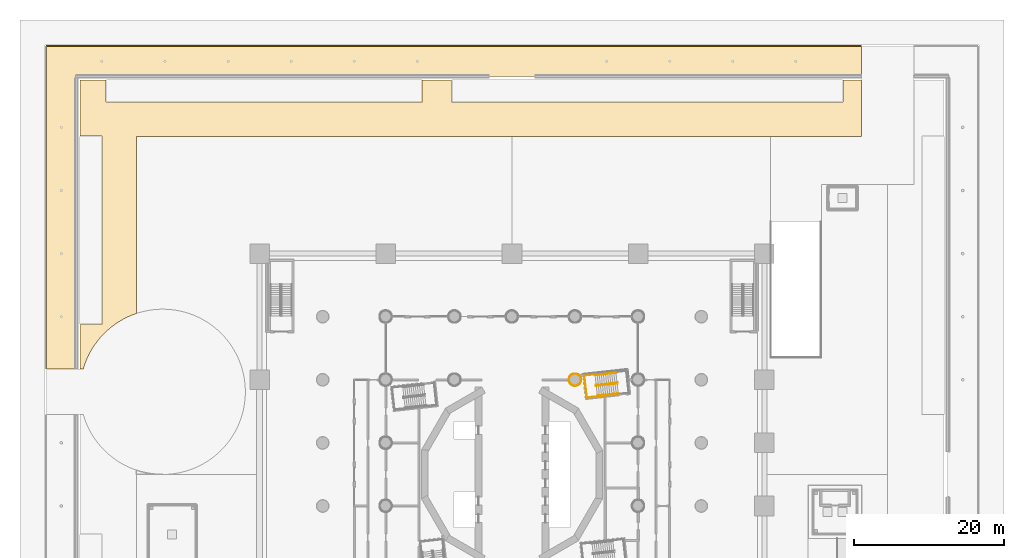
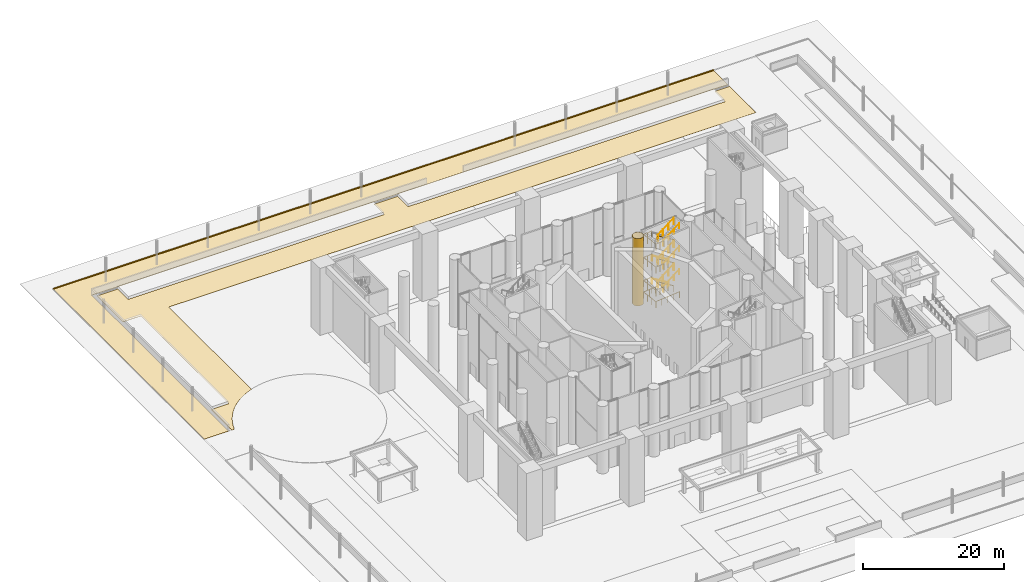
# One storey, part 43 of 52: 15 railings, 4 coverings.
"""IFC4 building model written with IfcOpenShell, lengths in metres."""

from ifc_helpers import new_model, si_unit, direction, frame, origin, origin_2d, place, context, subcontext, project, spatial, polyline, circle, outline, extrude, material, layer, layer_set, type_object, element, save


model = new_model("IFC4")

# Units and contexts
model_context = context("Model", 3, precision=1e-05, world=origin(), true_north=direction((0.0, 1.0)))
body_context = subcontext(model_context, "Body", "Model", "MODEL_VIEW")
ifc_project = project(units=[si_unit("LENGTHUNIT", "METRE"), si_unit("AREAUNIT", "SQUARE_METRE"), si_unit("VOLUMEUNIT", "CUBIC_METRE"), si_unit("PLANEANGLEUNIT", "RADIAN"), si_unit("MASSUNIT", "GRAM", prefix="KILO")], contexts=[model_context])

# Site, building, storey
site_placement = place(None, origin())
site = spatial("IfcSite", under=ifc_project, at=site_placement, CompositionType="ELEMENT")
building_placement = place(site_placement, origin())
building = spatial("IfcBuilding", under=site, at=building_placement, Name="Cantera Rosa Tower", CompositionType="ELEMENT")
storey_placement = place(building_placement, origin())
storey = spatial("IfcBuildingStorey", under=building, at=storey_placement, Name="L00", CompositionType="ELEMENT", Elevation=0.0)

# Coverings
ifc_material_1 = material(Name="Plaster")
ifc_layer_1 = layer(ifc_material_1, 0.030029296875)
ifc_layer_set_1 = layer_set([ifc_layer_1], Name="Column casing 30")
covering_type_1 = type_object("IfcCoveringType", Name="Column casing 30", PredefinedType="CLADDING", material=ifc_layer_set_1)
covering_1_placement = place(storey_placement, origin())
element("IfcCovering", 1, at=covering_1_placement, inside=storey, type_object=covering_type_1, Name="Column casing L00-015", PredefinedType="CLADDING", context=body_context, shape_type="SweptSolid", body=[
    extrude(outline(polyline([(9.22607421875, 12.5185546875), (9.22998046875, 12.60009765625), (9.22607421875, 12.681396484375), (9.214111328125, 12.761962890625), (9.1943359375, 12.8408203125), (9.166748046875, 12.91748046875), (9.132080078125, 12.9912109375), (9.090087890625, 13.06103515625), (9.04150390625, 13.12646484375), (8.98681640625, 13.18701171875), (8.926513671875, 13.24169921875), (8.861083984375, 13.2900390625), (8.791259765625, 13.33203125), (8.717529296875, 13.36669921875), (8.640869140625, 13.394287109375), (8.56201171875, 13.4140625), (8.4814453125, 13.426025390625), (8.39990234375, 13.429931640625), (8.318603515625, 13.426025390625), (8.238037109375, 13.4140625), (8.1591796875, 13.394287109375), (8.08251953125, 13.36669921875), (8.0087890625, 13.33203125), (7.93896484375, 13.2900390625), (7.87353515625, 13.24169921875), (7.81298828125, 13.18701171875), (7.75830078125, 13.12646484375), (7.7099609375, 13.06103515625), (7.66796875, 12.9912109375), (7.63330078125, 12.91748046875), (7.605712890625, 12.8408203125), (7.5859375, 12.761962890625), (7.573974609375, 12.681396484375), (7.570068359375, 12.60009765625), (7.573974609375, 12.5185546875), (7.5859375, 12.43798828125), (7.605712890625, 12.359130859375), (7.63330078125, 12.282470703125), (7.66796875, 12.208740234375), (7.7099609375, 12.138916015625), (7.75830078125, 12.073486328125), (7.81298828125, 12.01318359375), (7.87353515625, 11.95849609375), (7.93896484375, 11.909912109375), (8.0087890625, 11.867919921875), (8.08251953125, 11.833251953125), (8.1591796875, 11.8056640625), (8.238037109375, 11.785888671875), (8.318603515625, 11.77392578125), (8.39990234375, 11.77001953125), (8.4814453125, 11.77392578125), (8.56201171875, 11.785888671875), (8.640869140625, 11.8056640625), (8.717529296875, 11.833251953125), (8.791259765625, 11.867919921875), (8.861083984375, 11.909912109375), (8.926513671875, 11.95849609375), (8.98681640625, 12.01318359375), (9.04150390625, 12.073486328125), (9.090087890625, 12.138916015625), (9.132080078125, 12.208740234375), (9.166748046875, 12.282470703125), (9.1943359375, 12.359130859375), (9.214111328125, 12.43798828125), (9.22607421875, 12.5185546875)]), holes=[polyline([(9.196044921875, 12.678466796875), (9.1845703125, 12.756103515625), (9.16552734375, 12.832275390625), (9.13916015625, 12.906005859375), (9.10546875, 12.97705078125), (9.065185546875, 13.04443359375), (9.018310546875, 13.107421875), (8.9658203125, 13.165771484375), (8.907470703125, 13.218505859375), (8.844482421875, 13.26513671875), (8.777099609375, 13.305419921875), (8.7060546875, 13.339111328125), (8.632080078125, 13.365478515625), (8.55615234375, 13.384521484375), (8.478515625, 13.39599609375), (8.39990234375, 13.39990234375), (8.321533203125, 13.39599609375), (8.243896484375, 13.384521484375), (8.167724609375, 13.365478515625), (8.093994140625, 13.339111328125), (8.02294921875, 13.305419921875), (7.95556640625, 13.26513671875), (7.892578125, 13.218505859375), (7.834228515625, 13.165771484375), (7.781494140625, 13.107421875), (7.73486328125, 13.04443359375), (7.694580078125, 12.97705078125), (7.660888671875, 12.906005859375), (7.634521484375, 12.832275390625), (7.615478515625, 12.756103515625), (7.60400390625, 12.678466796875), (7.60009765625, 12.60009765625), (7.60400390625, 12.521484375), (7.615478515625, 12.44384765625), (7.634521484375, 12.367919921875), (7.660888671875, 12.2939453125), (7.694580078125, 12.222900390625), (7.73486328125, 12.155517578125), (7.781494140625, 12.092529296875), (7.834228515625, 12.0341796875), (7.892578125, 11.981689453125), (7.95556640625, 11.934814453125), (8.02294921875, 11.89453125), (8.093994140625, 11.86083984375), (8.167724609375, 11.83447265625), (8.243896484375, 11.8154296875), (8.321533203125, 11.803955078125), (8.39990234375, 11.800048828125), (8.478515625, 11.803955078125), (8.55615234375, 11.8154296875), (8.632080078125, 11.83447265625), (8.7060546875, 11.86083984375), (8.777099609375, 11.89453125), (8.844482421875, 11.934814453125), (8.907470703125, 11.981689453125), (8.9658203125, 12.0341796875), (9.018310546875, 12.092529296875), (9.065185546875, 12.155517578125), (9.10546875, 12.222900390625), (9.13916015625, 12.2939453125), (9.16552734375, 12.367919921875), (9.1845703125, 12.44384765625), (9.196044921875, 12.521484375), (9.199951171875, 12.60009765625), (9.196044921875, 12.678466796875)])]), origin(), (0.0, 0.0, 1.0), 11.699951171875),
])
ifc_material_2 = material(Name="Stone paving", Category="masonry")
ifc_layer_2 = layer(ifc_material_2, 0.06005859375)
ifc_layer_set_2 = layer_set([ifc_layer_2], Name="Footway paving 60")
covering_type_2 = type_object("IfcCoveringType", Name="Footway paving 60", PredefinedType="USERDEFINED", material=ifc_layer_set_2)
covering_2_placement = place(storey_placement, origin())
element("IfcCovering", 2, at=covering_2_placement, inside=storey, type_object=covering_type_2, Name="Street footway paving", ObjectType="PAVING", PredefinedType="USERDEFINED", context=body_context, shape_type="SweptSolid", body=[
    extrude(outline(polyline([(-62.0, 57.0), (-62.0, 14.050048828125), (-58.0, 14.050048828125), (-58.0, 53.0), (46.5, 53.0), (46.5, 57.0), (-62.0, 57.0)])), origin(), (0.0, 0.0, 1.0), 0.06005859375),
])
ifc_material_3 = material(Name="Granite kerb", Category="masonry")
ifc_layer_3 = layer(ifc_material_3, 0.14990234375)
ifc_layer_set_3 = layer_set([ifc_layer_3], Name="Kerb 150x150")
covering_type_3 = type_object("IfcCoveringType", Name="Kerb 150x150", PredefinedType="USERDEFINED", material=ifc_layer_set_3)
covering_3_placement = place(storey_placement, origin())
element("IfcCovering", 3, at=covering_3_placement, inside=storey, type_object=covering_type_3, Name="Kerb N1", ObjectType="KERB", PredefinedType="USERDEFINED", context=body_context, shape_type="SweptSolid", body=[
    extrude(outline(polyline([(46.5, 57.0), (46.5, 57.14990234375), (-62.0, 57.14990234375), (-62.0, 57.0), (46.5, 57.0)])), origin(), (0.0, 0.0, 1.0), 0.14990234375),
])
ifc_material_4 = material(Name="Stone paving", Category="masonry")
ifc_layer_4 = layer(ifc_material_4, 0.0400390625)
ifc_layer_set_4 = layer_set([ifc_layer_4], Name="Plaza paving 40")
covering_type_4 = type_object("IfcCoveringType", Name="Plaza paving 40", PredefinedType="USERDEFINED", material=ifc_layer_set_4)
covering_4_placement = place(storey_placement, origin())
element("IfcCovering", 4, at=covering_4_placement, inside=storey, type_object=covering_type_4, Name="Paving of the plot yard", ObjectType="PAVING", PredefinedType="USERDEFINED", context=body_context, shape_type="SweptSolid", body=[
    extrude(outline(polyline([(41.199951171875, 45.0), (46.5, 45.0), (46.5, 52.5), (44.050048828125, 52.5), (44.050048828125, 49.60009765625), (44.0498046875, 49.59521484375), (44.049072265625, 49.590087890625), (44.0478515625, 49.58544921875), (44.046142578125, 49.580810546875), (44.044189453125, 49.576416015625), (44.04150390625, 49.572265625), (44.038818359375, 49.568359375), (44.035400390625, 49.564697265625), (44.03173828125, 49.561279296875), (44.02783203125, 49.558349609375), (44.023681640625, 49.555908203125), (44.01904296875, 49.5537109375), (44.014404296875, 49.55224609375), (44.009765625, 49.551025390625), (44.0048828125, 49.55029296875), (44.0, 49.550048828125), (-8.0, 49.550048828125), (-8.0048828125, 49.55029296875), (-8.009765625, 49.551025390625), (-8.014404296875, 49.55224609375), (-8.01904296875, 49.5537109375), (-8.023681640625, 49.555908203125), (-8.02783203125, 49.558349609375), (-8.03173828125, 49.561279296875), (-8.035400390625, 49.564697265625), (-8.038818359375, 49.568359375), (-8.04150390625, 49.572265625), (-8.044189453125, 49.576416015625), (-8.046142578125, 49.580810546875), (-8.0478515625, 49.58544921875), (-8.049072265625, 49.590087890625), (-8.0498046875, 49.59521484375), (-8.050048828125, 49.60009765625), (-8.050048828125, 52.5), (-11.949951171875, 52.5), (-11.949951171875, 49.60009765625), (-11.9501953125, 49.59521484375), (-11.950927734375, 49.590087890625), (-11.9521484375, 49.58544921875), (-11.953857421875, 49.580810546875), (-11.955810546875, 49.576416015625), (-11.95849609375, 49.572265625), (-11.961181640625, 49.568359375), (-11.964599609375, 49.564697265625), (-11.96826171875, 49.561279296875), (-11.97216796875, 49.558349609375), (-11.976318359375, 49.555908203125), (-11.98095703125, 49.5537109375), (-11.985595703125, 49.55224609375), (-11.990234375, 49.551025390625), (-11.9951171875, 49.55029296875), (-12.0, 49.550048828125), (-54.0, 49.550048828125), (-54.0048828125, 49.55029296875), (-54.009765625, 49.551025390625), (-54.014404296875, 49.55224609375), (-54.01904296875, 49.5537109375), (-54.023681640625, 49.555908203125), (-54.02783203125, 49.558349609375), (-54.03173828125, 49.561279296875), (-54.035400390625, 49.564697265625), (-54.038818359375, 49.568359375), (-54.04150390625, 49.572265625), (-54.044189453125, 49.576416015625), (-54.046142578125, 49.580810546875), (-54.0478515625, 49.58544921875), (-54.049072265625, 49.590087890625), (-54.0498046875, 49.59521484375), (-54.050048828125, 49.60009765625), (-54.050048828125, 52.5), (-57.5, 52.5), (-57.5, 45.050048828125), (-54.60009765625, 45.050048828125), (-54.59521484375, 45.0498046875), (-54.590087890625, 45.049072265625), (-54.58544921875, 45.0478515625), (-54.580810546875, 45.046142578125), (-54.576416015625, 45.044189453125), (-54.572265625, 45.04150390625), (-54.568359375, 45.038818359375), (-54.564697265625, 45.035400390625), (-54.561279296875, 45.03173828125), (-54.558349609375, 45.02783203125), (-54.555908203125, 45.023681640625), (-54.5537109375, 45.01904296875), (-54.55224609375, 45.014404296875), (-54.551025390625, 45.009765625), (-54.55029296875, 45.0048828125), (-54.550048828125, 45.0), (-54.550048828125, 20.0), (-54.55029296875, 19.9951171875), (-54.551025390625, 19.990234375), (-54.55224609375, 19.985595703125), (-54.5537109375, 19.98095703125), (-54.555908203125, 19.976318359375), (-54.558349609375, 19.97216796875), (-54.561279296875, 19.96826171875), (-54.564697265625, 19.964599609375), (-54.568359375, 19.961181640625), (-54.572265625, 19.95849609375), (-54.576416015625, 19.955810546875), (-54.580810546875, 19.953857421875), (-54.58544921875, 19.9521484375), (-54.590087890625, 19.950927734375), (-54.59521484375, 19.9501953125), (-54.60009765625, 19.949951171875), (-57.5, 19.949951171875), (-57.5, 14.050048828125), (-57.067138671875, 14.050048828125), (-57.0263671875, 14.193115234375), (-56.916259765625, 14.535888671875), (-56.794921875, 14.874755859375), (-56.66259765625, 15.20947265625), (-56.51953125, 15.539794921875), (-56.365478515625, 15.865234375), (-56.201171875, 16.185302734375), (-56.0263671875, 16.5), (-55.84130859375, 16.80859375), (-55.646240234375, 17.111328125), (-55.44140625, 17.4072265625), (-55.226806640625, 17.6962890625), (-55.003173828125, 17.978271484375), (-54.770263671875, 18.252685546875), (-54.528564453125, 18.51953125), (-54.2783203125, 18.7783203125), (-54.01953125, 19.028564453125), (-53.752685546875, 19.270263671875), (-53.478271484375, 19.503173828125), (-53.1962890625, 19.726806640625), (-52.9072265625, 19.94140625), (-52.611328125, 20.146240234375), (-52.30859375, 20.34130859375), (-52.0, 20.5263671875), (-51.685302734375, 20.701171875), (-51.365234375, 20.865478515625), (-51.039794921875, 21.01953125), (-50.70947265625, 21.16259765625), (-50.374755859375, 21.294921875), (-50.035888671875, 21.416259765625), (-50.0, 21.427734375), (-50.0, 45.0), (34.39990234375, 45.0), (41.199951171875, 45.0)])), origin(), (0.0, 0.0, 1.0), 0.0400390625),
])

# Railings
ifc_material_5 = material(Name="Steel S355J2 (EN 10025-2)", Category="steel")
railing_type_1 = type_object("IfcRailingType", Name="STAIR GUARD 1100", PredefinedType="GUARDRAIL", material=ifc_material_5)
railing_1_placement = place(storey_placement, frame((13.986083984375, 12.203125, 0.181884765625)))
element("IfcRailing", 5, at=railing_1_placement, inside=storey, type_object=railing_type_1, Name="L00 ST-11 stair guard 1", PredefinedType="GUARDRAIL", context=body_context, shape_type="SweptSolid", body=[
    extrude(circle(Radius=0.02392578125, at=origin_2d()), frame((0.0, 0.0, 1.076171875), z_axis=(-0.833588056777, -0.09250714026, 0.544585512661), x_axis=(0.110297547524, -0.993898612038, 0.0)), (0.0, 0.0, 1.0), 3.338623046875),
    extrude(circle(Radius=0.02392578125, at=origin_2d()), frame((-2.782958984375, -0.308837890625, 2.89404296875), z_axis=(-0.932897555956, 0.360141847183, 0.0), x_axis=(-0.360141847183, -0.932897555956, 0.0)), (0.0, 0.0, 1.0), 0.05615234375),
    extrude(circle(Radius=0.02392578125, at=origin_2d()), frame((-2.83544921875, -0.28857421875, 2.89404296875), z_axis=(0.110789159685, -0.993843932464, 0.0), x_axis=(0.993843932464, 0.110789159685, 0.0)), (0.0, 0.0, 1.0), 0.14990234375),
    extrude(circle(Radius=0.02099609375, at=origin_2d()), origin(), (0.0, 0.0, 1.0), 1.052001953125),
    extrude(circle(Radius=0.02099609375, at=origin_2d()), frame((-0.927734375, -0.10302734375, 0.60595703125)), (0.0, 0.0, 1.0), 1.052001953125),
    extrude(circle(Radius=0.02099609375, at=origin_2d()), frame((-1.855224609375, -0.205810546875, 1.212158203125)), (0.0, 0.0, 1.0), 1.052001953125),
    extrude(circle(Radius=0.02099609375, at=origin_2d()), frame((-2.782958984375, -0.308837890625, 1.818115234375)), (0.0, 0.0, 1.0), 1.052001953125),
    extrude(circle(Radius=0.02099609375, at=origin_2d()), frame((-2.83544921875, -0.28857421875, 1.818115234375)), (0.0, 0.0, 1.0), 1.052001953125),
    extrude(circle(Radius=0.02099609375, at=origin_2d()), frame((-2.81884765625, -0.4375, 1.818115234375)), (0.0, 0.0, 1.0), 1.052001953125),
])
railing_2_placement = place(storey_placement, frame((11.2138671875, 11.796875, 2.181884765625)))
element("IfcRailing", 6, at=railing_2_placement, inside=storey, type_object=railing_type_1, Name="L00 ST-11 stair guard 2", PredefinedType="GUARDRAIL", context=body_context, shape_type="SweptSolid", body=[
    extrude(circle(Radius=0.02392578125, at=origin_2d()), frame((0.0, 0.0, 1.076171875), z_axis=(0.833588056777, 0.09250714026, 0.544585512661), x_axis=(-0.110297547524, 0.993898612038, 0.0)), (0.0, 0.0, 1.0), 3.338623046875),
    extrude(circle(Radius=0.02392578125, at=origin_2d()), frame((2.782958984375, 0.308837890625, 2.89404296875), z_axis=(0.932897555956, -0.360141847183, 0.0), x_axis=(0.360141847183, 0.932897555956, 0.0)), (0.0, 0.0, 1.0), 0.05615234375),
    extrude(circle(Radius=0.02392578125, at=origin_2d()), frame((2.83544921875, 0.28857421875, 2.89404296875), z_axis=(-0.109179471459, 0.994022053584, 0.0), x_axis=(-0.994022053584, -0.109179471459, 0.0)), (0.0, 0.0, 1.0), 0.14990234375),
    extrude(circle(Radius=0.02099609375, at=origin_2d()), origin(), (0.0, 0.0, 1.0), 1.052001953125),
    extrude(circle(Radius=0.02099609375, at=origin_2d()), frame((0.927734375, 0.10302734375, 0.60595703125)), (0.0, 0.0, 1.0), 1.052001953125),
    extrude(circle(Radius=0.02099609375, at=origin_2d()), frame((1.855224609375, 0.205810546875, 1.212158203125)), (0.0, 0.0, 1.0), 1.052001953125),
    extrude(circle(Radius=0.02099609375, at=origin_2d()), frame((2.782958984375, 0.308837890625, 1.818115234375)), (0.0, 0.0, 1.0), 1.052001953125),
    extrude(circle(Radius=0.02099609375, at=origin_2d()), frame((2.83544921875, 0.28857421875, 1.818115234375)), (0.0, 0.0, 1.0), 1.052001953125),
    extrude(circle(Radius=0.02099609375, at=origin_2d()), frame((2.819091796875, 0.4375, 1.818115234375)), (0.0, 0.0, 1.0), 1.052001953125),
])
railing_3_placement = place(storey_placement, frame((13.986083984375, 12.203125, 4.181884765625)))
element("IfcRailing", 7, at=railing_3_placement, inside=storey, type_object=railing_type_1, Name="L00 ST-11 stair guard 3", PredefinedType="GUARDRAIL", context=body_context, shape_type="SweptSolid", body=[
    extrude(circle(Radius=0.02392578125, at=origin_2d()), frame((0.0, 0.0, 1.076171875), z_axis=(-0.833588056777, -0.09250714026, 0.544585512661), x_axis=(0.110297547524, -0.993898612038, 0.0)), (0.0, 0.0, 1.0), 3.338623046875),
    extrude(circle(Radius=0.02392578125, at=origin_2d()), frame((-2.782958984375, -0.308837890625, 2.89404296875), z_axis=(-0.932897555956, 0.360141847183, 0.0), x_axis=(-0.360141847183, -0.932897555956, 0.0)), (0.0, 0.0, 1.0), 0.05615234375),
    extrude(circle(Radius=0.02392578125, at=origin_2d()), frame((-2.83544921875, -0.28857421875, 2.89404296875), z_axis=(0.110789159685, -0.993843932464, 0.0), x_axis=(0.993843932464, 0.110789159685, 0.0)), (0.0, 0.0, 1.0), 0.14990234375),
    extrude(circle(Radius=0.02099609375, at=origin_2d()), origin(), (0.0, 0.0, 1.0), 1.052001953125),
    extrude(circle(Radius=0.02099609375, at=origin_2d()), frame((-0.927734375, -0.10302734375, 0.60595703125)), (0.0, 0.0, 1.0), 1.052001953125),
    extrude(circle(Radius=0.02099609375, at=origin_2d()), frame((-1.855224609375, -0.205810546875, 1.212158203125)), (0.0, 0.0, 1.0), 1.052001953125),
    extrude(circle(Radius=0.02099609375, at=origin_2d()), frame((-2.782958984375, -0.308837890625, 1.818115234375)), (0.0, 0.0, 1.0), 1.052001953125),
    extrude(circle(Radius=0.02099609375, at=origin_2d()), frame((-2.83544921875, -0.28857421875, 1.818115234375)), (0.0, 0.0, 1.0), 1.052001953125),
    extrude(circle(Radius=0.02099609375, at=origin_2d()), frame((-2.81884765625, -0.4375, 1.818115234375)), (0.0, 0.0, 1.0), 1.052001953125),
])
railing_4_placement = place(storey_placement, frame((11.2138671875, 11.796875, 6.181884765625)))
element("IfcRailing", 8, at=railing_4_placement, inside=storey, type_object=railing_type_1, Name="L00 ST-11 stair guard 4", PredefinedType="GUARDRAIL", context=body_context, shape_type="SweptSolid", body=[
    extrude(circle(Radius=0.02392578125, at=origin_2d()), frame((0.0, 0.0, 1.076171875), z_axis=(0.833588056777, 0.09250714026, 0.544585512661), x_axis=(-0.110297547524, 0.993898612038, 0.0)), (0.0, 0.0, 1.0), 3.338623046875),
    extrude(circle(Radius=0.02392578125, at=origin_2d()), frame((2.782958984375, 0.308837890625, 2.89404296875), z_axis=(0.932897555956, -0.360141847183, 0.0), x_axis=(0.360141847183, 0.932897555956, 0.0)), (0.0, 0.0, 1.0), 0.05615234375),
    extrude(circle(Radius=0.02392578125, at=origin_2d()), frame((2.83544921875, 0.28857421875, 2.89404296875), z_axis=(-0.109179471459, 0.994022053584, 0.0), x_axis=(-0.994022053584, -0.109179471459, 0.0)), (0.0, 0.0, 1.0), 0.14990234375),
    extrude(circle(Radius=0.02099609375, at=origin_2d()), origin(), (0.0, 0.0, 1.0), 1.052001953125),
    extrude(circle(Radius=0.02099609375, at=origin_2d()), frame((0.927734375, 0.10302734375, 0.60595703125)), (0.0, 0.0, 1.0), 1.052001953125),
    extrude(circle(Radius=0.02099609375, at=origin_2d()), frame((1.855224609375, 0.205810546875, 1.212158203125)), (0.0, 0.0, 1.0), 1.052001953125),
    extrude(circle(Radius=0.02099609375, at=origin_2d()), frame((2.782958984375, 0.308837890625, 1.818115234375)), (0.0, 0.0, 1.0), 1.052001953125),
    extrude(circle(Radius=0.02099609375, at=origin_2d()), frame((2.83544921875, 0.28857421875, 1.818115234375)), (0.0, 0.0, 1.0), 1.052001953125),
    extrude(circle(Radius=0.02099609375, at=origin_2d()), frame((2.819091796875, 0.4375, 1.818115234375)), (0.0, 0.0, 1.0), 1.052001953125),
])
railing_5_placement = place(storey_placement, frame((13.986083984375, 12.203125, 8.181884765625)))
element("IfcRailing", 9, at=railing_5_placement, inside=storey, type_object=railing_type_1, Name="L00 ST-11 stair guard 5", PredefinedType="GUARDRAIL", context=body_context, shape_type="SweptSolid", body=[
    extrude(circle(Radius=0.02392578125, at=origin_2d()), frame((0.0, 0.0, 1.076171875), z_axis=(-0.833588056777, -0.09250714026, 0.544585512661), x_axis=(0.110297547524, -0.993898612038, 0.0)), (0.0, 0.0, 1.0), 3.338623046875),
    extrude(circle(Radius=0.02392578125, at=origin_2d()), frame((-2.782958984375, -0.308837890625, 2.89404296875), z_axis=(-0.932897555956, 0.360141847183, 0.0), x_axis=(-0.360141847183, -0.932897555956, 0.0)), (0.0, 0.0, 1.0), 0.05615234375),
    extrude(circle(Radius=0.02392578125, at=origin_2d()), frame((-2.83544921875, -0.28857421875, 2.89404296875), z_axis=(0.110789159685, -0.993843932464, 0.0), x_axis=(0.993843932464, 0.110789159685, 0.0)), (0.0, 0.0, 1.0), 0.14990234375),
    extrude(circle(Radius=0.02099609375, at=origin_2d()), origin(), (0.0, 0.0, 1.0), 1.052001953125),
    extrude(circle(Radius=0.02099609375, at=origin_2d()), frame((-0.927734375, -0.10302734375, 0.60595703125)), (0.0, 0.0, 1.0), 1.052001953125),
    extrude(circle(Radius=0.02099609375, at=origin_2d()), frame((-1.855224609375, -0.205810546875, 1.212158203125)), (0.0, 0.0, 1.0), 1.052001953125),
    extrude(circle(Radius=0.02099609375, at=origin_2d()), frame((-2.782958984375, -0.308837890625, 1.818115234375)), (0.0, 0.0, 1.0), 1.052001953125),
    extrude(circle(Radius=0.02099609375, at=origin_2d()), frame((-2.83544921875, -0.28857421875, 1.818115234375)), (0.0, 0.0, 1.0), 1.052001953125),
    extrude(circle(Radius=0.02099609375, at=origin_2d()), frame((-2.81884765625, -0.4375, 1.818115234375)), (0.0, 0.0, 1.0), 1.052001953125),
])
railing_6_placement = place(storey_placement, frame((11.2138671875, 11.796875, 10.181884765625)))
element("IfcRailing", 10, at=railing_6_placement, inside=storey, type_object=railing_type_1, Name="L00 ST-11 stair guard 6", PredefinedType="GUARDRAIL", context=body_context, shape_type="SweptSolid", body=[
    extrude(circle(Radius=0.02392578125, at=origin_2d()), frame((0.0, 0.0, 1.076171875), z_axis=(0.833588056777, 0.09250714026, 0.544585512661), x_axis=(-0.110297547524, 0.993898612038, 0.0)), (0.0, 0.0, 1.0), 3.338623046875),
    extrude(circle(Radius=0.02099609375, at=origin_2d()), origin(), (0.0, 0.0, 1.0), 1.052001953125),
    extrude(circle(Radius=0.02099609375, at=origin_2d()), frame((0.927734375, 0.10302734375, 0.60595703125)), (0.0, 0.0, 1.0), 1.052001953125),
    extrude(circle(Radius=0.02099609375, at=origin_2d()), frame((1.855224609375, 0.205810546875, 1.212158203125)), (0.0, 0.0, 1.0), 1.052001953125),
    extrude(circle(Radius=0.02099609375, at=origin_2d()), frame((2.782958984375, 0.308837890625, 1.818115234375)), (0.0, 0.0, 1.0), 1.052001953125),
])
railing_7_placement = place(storey_placement, frame((13.815673828125, 13.629150390625, 0.0)))
element("IfcRailing", 11, at=railing_7_placement, inside=storey, type_object=railing_type_1, Name="L00 ST-11 stair guard 8", PredefinedType="GUARDRAIL", context=body_context, shape_type="SweptSolid", body=[
    extrude(circle(Radius=0.02392578125, at=origin_2d()), frame((0.0, 0.0, 1.076171875), z_axis=(-0.9938957856, -0.110323013767, 0.0), x_axis=(0.110323013767, -0.9938957856, 0.0)), (0.0, 0.0, 1.0), 4.197998046875),
    extrude(circle(Radius=0.02392578125, at=origin_2d()), frame((-4.17236328125, -0.463134765625, 1.076171875), z_axis=(0.110314237986, -0.993896759678, 0.0), x_axis=(0.993896759678, 0.110314237986, 0.0)), (0.0, 0.0, 1.0), 2.969970703125),
    extrude(circle(Radius=0.02392578125, at=origin_2d()), frame((-3.8447265625, -3.4150390625, 1.076171875), z_axis=(0.9938957856, 0.110323013767, 0.0), x_axis=(-0.110323013767, 0.9938957856, 0.0)), (0.0, 0.0, 1.0), 4.197998046875),
    extrude(circle(Radius=0.02099609375, at=origin_2d()), origin(), (0.0, 0.0, 1.0), 1.052001953125),
    extrude(circle(Radius=0.02099609375, at=origin_2d()), frame((-1.04296875, -0.11572265625, 0.0)), (0.0, 0.0, 1.0), 1.052001953125),
    extrude(circle(Radius=0.02099609375, at=origin_2d()), frame((-2.086181640625, -0.2314453125, 0.0)), (0.0, 0.0, 1.0), 1.052001953125),
    extrude(circle(Radius=0.02099609375, at=origin_2d()), frame((-3.12939453125, -0.347412109375, 0.0)), (0.0, 0.0, 1.0), 1.052001953125),
    extrude(circle(Radius=0.02099609375, at=origin_2d()), frame((-4.17236328125, -0.463134765625, 0.0)), (0.0, 0.0, 1.0), 1.052001953125),
    extrude(circle(Radius=0.02099609375, at=origin_2d()), frame((-4.063232421875, -1.447021484375, 0.0)), (0.0, 0.0, 1.0), 1.052001953125),
    extrude(circle(Radius=0.02099609375, at=origin_2d()), frame((-3.953857421875, -2.43115234375, 0.0)), (0.0, 0.0, 1.0), 1.052001953125),
    extrude(circle(Radius=0.02099609375, at=origin_2d()), frame((-3.8447265625, -3.4150390625, 0.0)), (0.0, 0.0, 1.0), 1.052001953125),
    extrude(circle(Radius=0.02099609375, at=origin_2d()), frame((-2.8017578125, -3.29931640625, 0.0)), (0.0, 0.0, 1.0), 1.052001953125),
    extrude(circle(Radius=0.02099609375, at=origin_2d()), frame((-1.758544921875, -3.18359375, 0.0)), (0.0, 0.0, 1.0), 1.052001953125),
    extrude(circle(Radius=0.02099609375, at=origin_2d()), frame((-0.71533203125, -3.067626953125, 0.0)), (0.0, 0.0, 1.0), 1.052001953125),
    extrude(circle(Radius=0.02099609375, at=origin_2d()), frame((0.32763671875, -2.951904296875, 0.0)), (0.0, 0.0, 1.0), 1.052001953125),
])
for number, where, name in (
    (12, (11.056640625, 13.32275390625, 2.0), "L00 ST-11 stair guard 9"),
    (13, (11.056640625, 13.32275390625, 6.0), "L00 ST-11 stair guard 11"),
    (14, (11.056640625, 13.32275390625, 10.0), "L00 ST-11 stair guard 13"),
):
    element("IfcRailing", number, at=place(storey_placement, frame(where)), inside=storey, type_object=railing_type_1, Name=name, PredefinedType="GUARDRAIL", context=body_context, shape_type="SweptSolid", body=[
        extrude(circle(Radius=0.02392578125, at=origin_2d()), frame((0.0, 0.0, 1.076171875), z_axis=(-0.993906744489, -0.110224240795, 0.0), x_axis=(0.110224240795, -0.993906744489, 0.0)), (0.0, 0.0, 1.0), 1.421875),
        extrude(circle(Radius=0.02392578125, at=origin_2d()), frame((-1.413330078125, -0.15673828125, 1.076171875), z_axis=(0.110314237986, -0.993896759678, 0.0), x_axis=(0.993896759678, 0.110314237986, 0.0)), (0.0, 0.0, 1.0), 2.969970703125),
        extrude(circle(Radius=0.02392578125, at=origin_2d()), frame((-1.085693359375, -3.108642578125, 1.076171875), z_axis=(0.993906744489, 0.110224240795, 0.0), x_axis=(-0.110224240795, 0.993906744489, 0.0)), (0.0, 0.0, 1.0), 1.421875),
        extrude(circle(Radius=0.02099609375, at=origin_2d()), origin(), (0.0, 0.0, 1.0), 1.052001953125),
        extrude(circle(Radius=0.02099609375, at=origin_2d()), frame((-0.70654296875, -0.078369140625, 0.0)), (0.0, 0.0, 1.0), 1.052001953125),
        extrude(circle(Radius=0.02099609375, at=origin_2d()), frame((-1.413330078125, -0.15673828125, 0.0)), (0.0, 0.0, 1.0), 1.052001953125),
        extrude(circle(Radius=0.02099609375, at=origin_2d()), frame((-1.30419921875, -1.140625, 0.0)), (0.0, 0.0, 1.0), 1.052001953125),
        extrude(circle(Radius=0.02099609375, at=origin_2d()), frame((-1.19482421875, -2.124755859375, 0.0)), (0.0, 0.0, 1.0), 1.052001953125),
        extrude(circle(Radius=0.02099609375, at=origin_2d()), frame((-1.085693359375, -3.108642578125, 0.0)), (0.0, 0.0, 1.0), 1.052001953125),
        extrude(circle(Radius=0.02099609375, at=origin_2d()), frame((-0.37890625, -3.0302734375, 0.0)), (0.0, 0.0, 1.0), 1.052001953125),
        extrude(circle(Radius=0.02099609375, at=origin_2d()), frame((0.32763671875, -2.951904296875, 0.0)), (0.0, 0.0, 1.0), 1.052001953125),
    ])
ifc_material_6 = material(Name="Steel S355J2 (EN 10025-2)", Category="steel")
railing_type_2 = type_object("IfcRailingType", Name="STAIR HANDRAIL 900", PredefinedType="HANDRAIL", material=ifc_material_6)
railing_8_placement = place(storey_placement, frame((13.83984375, 13.52099609375, 0.181884765625)))
element("IfcRailing", 15, at=railing_8_placement, inside=storey, type_object=railing_type_2, Name="L00 ST-11 stair handrail 1", PredefinedType="HANDRAIL", context=body_context, shape_type="SweptSolid", body=[
    extrude(circle(Radius=0.02392578125, at=origin_2d()), frame((0.0, 0.0, 0.8759765625), z_axis=(-0.833588056777, -0.09250714026, 0.544585512661), x_axis=(0.110297547524, -0.993898612038, 0.0)), (0.0, 0.0, 1.0), 3.338623046875),
    extrude(circle(Radius=0.02099609375, at=origin_2d()), origin(), (0.0, 0.0, 1.0), 0.851806640625),
    extrude(circle(Radius=0.02099609375, at=origin_2d()), frame((-0.927734375, -0.10302734375, 0.60595703125)), (0.0, 0.0, 1.0), 0.851806640625),
    extrude(circle(Radius=0.02099609375, at=origin_2d()), frame((-1.855224609375, -0.205810546875, 1.212158203125)), (0.0, 0.0, 1.0), 0.851806640625),
    extrude(circle(Radius=0.02099609375, at=origin_2d()), frame((-2.782958984375, -0.308837890625, 1.818115234375)), (0.0, 0.0, 1.0), 0.851806640625),
])
railing_9_placement = place(storey_placement, frame((11.360107421875, 10.47900390625, 2.181884765625)))
element("IfcRailing", 16, at=railing_9_placement, inside=storey, type_object=railing_type_2, Name="L00 ST-11 stair handrail 2", PredefinedType="HANDRAIL", context=body_context, shape_type="SweptSolid", body=[
    extrude(circle(Radius=0.02392578125, at=origin_2d()), frame((0.0, 0.0, 0.8759765625), z_axis=(0.833588056777, 0.09250714026, 0.544585512661), x_axis=(-0.110297547524, 0.993898612038, 0.0)), (0.0, 0.0, 1.0), 3.338623046875),
    extrude(circle(Radius=0.02099609375, at=origin_2d()), origin(), (0.0, 0.0, 1.0), 0.851806640625),
    extrude(circle(Radius=0.02099609375, at=origin_2d()), frame((0.927734375, 0.10302734375, 0.60595703125)), (0.0, 0.0, 1.0), 0.851806640625),
    extrude(circle(Radius=0.02099609375, at=origin_2d()), frame((1.855224609375, 0.205810546875, 1.212158203125)), (0.0, 0.0, 1.0), 0.851806640625),
    extrude(circle(Radius=0.02099609375, at=origin_2d()), frame((2.782958984375, 0.308837890625, 1.818115234375)), (0.0, 0.0, 1.0), 0.851806640625),
])
railing_10_placement = place(storey_placement, frame((13.83984375, 13.52099609375, 4.181884765625)))
element("IfcRailing", 17, at=railing_10_placement, inside=storey, type_object=railing_type_2, Name="L00 ST-11 stair handrail 3", PredefinedType="HANDRAIL", context=body_context, shape_type="SweptSolid", body=[
    extrude(circle(Radius=0.02392578125, at=origin_2d()), frame((0.0, 0.0, 0.8759765625), z_axis=(-0.833588056777, -0.09250714026, 0.544585512661), x_axis=(0.110297547524, -0.993898612038, 0.0)), (0.0, 0.0, 1.0), 3.338623046875),
    extrude(circle(Radius=0.02099609375, at=origin_2d()), origin(), (0.0, 0.0, 1.0), 0.851806640625),
    extrude(circle(Radius=0.02099609375, at=origin_2d()), frame((-0.927734375, -0.10302734375, 0.60595703125)), (0.0, 0.0, 1.0), 0.851806640625),
    extrude(circle(Radius=0.02099609375, at=origin_2d()), frame((-1.855224609375, -0.205810546875, 1.212158203125)), (0.0, 0.0, 1.0), 0.851806640625),
    extrude(circle(Radius=0.02099609375, at=origin_2d()), frame((-2.782958984375, -0.308837890625, 1.818115234375)), (0.0, 0.0, 1.0), 0.851806640625),
])
for number, where, name in (
    (18, (11.360107421875, 10.47900390625, 6.181884765625), "L00 ST-11 stair handrail 4"),
    (19, (11.360107421875, 10.47900390625, 10.181884765625), "L00 ST-11 stair handrail 6"),
):
    element("IfcRailing", number, at=place(storey_placement, frame(where)), inside=storey, type_object=railing_type_2, Name=name, PredefinedType="HANDRAIL", context=body_context, shape_type="SweptSolid", body=[
        extrude(circle(Radius=0.02392578125, at=origin_2d()), frame((0.0, 0.0, 0.8759765625), z_axis=(0.833588056777, 0.09250714026, 0.544585512661), x_axis=(-0.110297547524, 0.993898612038, 0.0)), (0.0, 0.0, 1.0), 3.338623046875),
        extrude(circle(Radius=0.02099609375, at=origin_2d()), origin(), (0.0, 0.0, 1.0), 0.851806640625),
        extrude(circle(Radius=0.02099609375, at=origin_2d()), frame((0.927734375, 0.10302734375, 0.60595703125)), (0.0, 0.0, 1.0), 0.851806640625),
        extrude(circle(Radius=0.02099609375, at=origin_2d()), frame((1.855224609375, 0.205810546875, 1.212158203125)), (0.0, 0.0, 1.0), 0.851806640625),
        extrude(circle(Radius=0.02099609375, at=origin_2d()), frame((2.782958984375, 0.308837890625, 1.818115234375)), (0.0, 0.0, 1.0), 0.851806640625),
    ])

save(model, "model.ifc")
